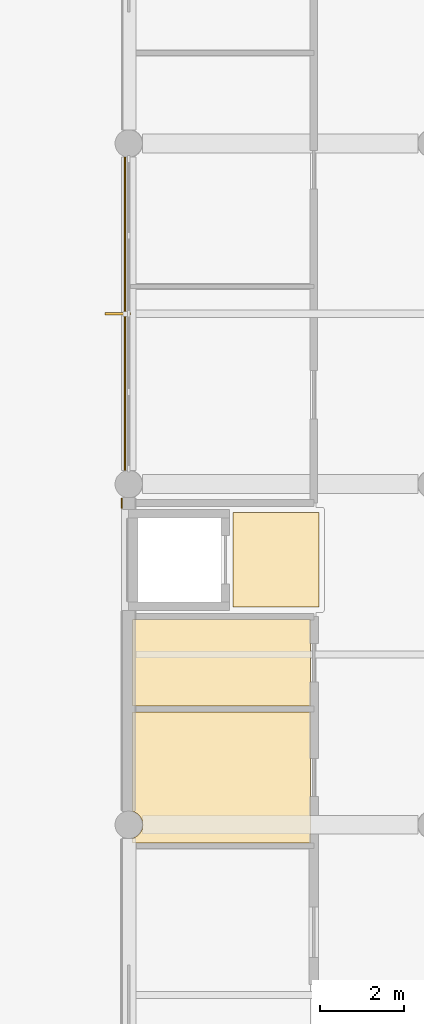
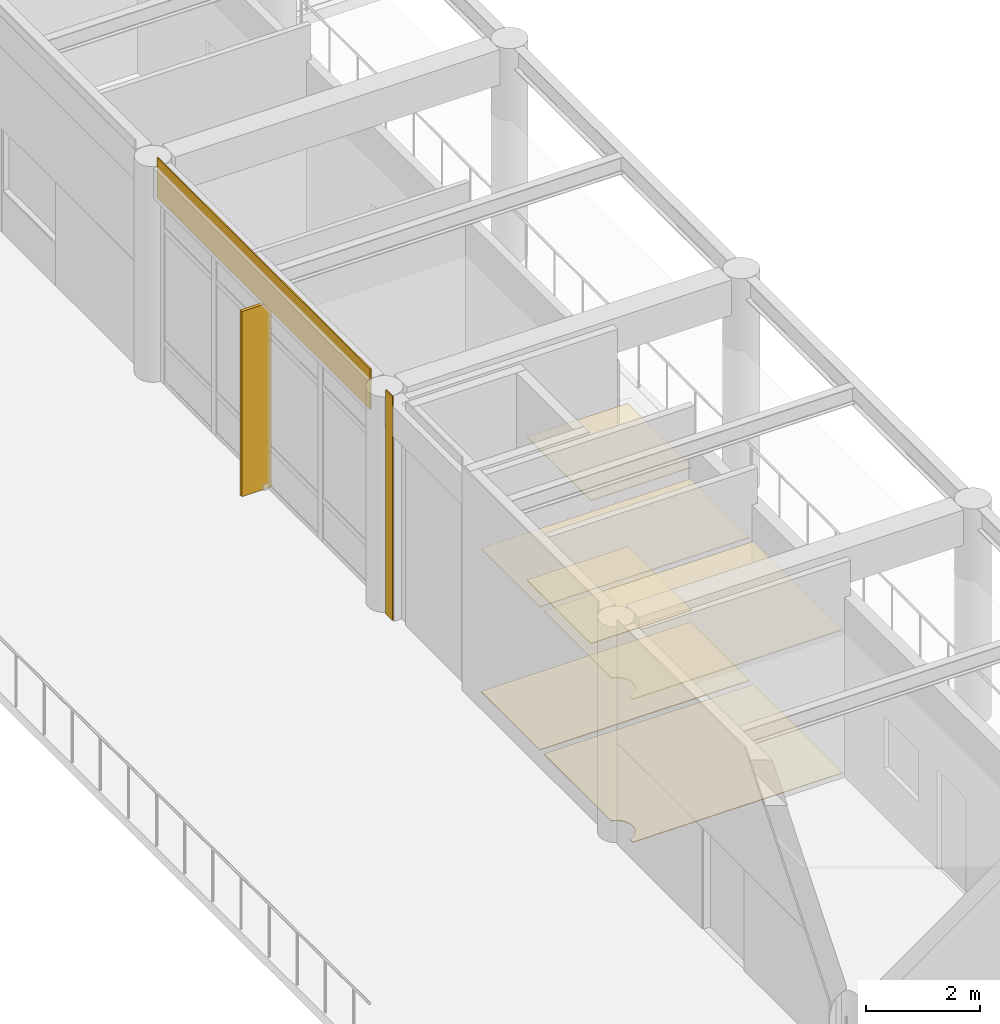
# One storey, part 69 of 92: 8 coverings, 1 shading device.
"""IFC4 building model written with IfcOpenShell, lengths in metres."""

import ifcopenshell
import ifcopenshell.guid

model = None  # the IFC model being written
_history = None  # IfcOwnerHistory: only IFC2X3 demands one
_inside = {}  # id of a spatial element -> (the spatial element, [elements in it])
_under = {}  # id of a project, library or spatial element -> (it, [spatial elements below it])
_declared = {}  # id of a project -> (the project, [libraries it declares])
_typed = {}  # id of a type object -> (the type object, [elements of that type])
_made_of = {}  # id of a material, layer set ... -> (it, [elements and type objects made of it])


def new_model(schema):
    """Start an empty IFC model of exactly this schema.

    Asked for "IFC4X3", IfcOpenShell would pick the latest addendum, in which some entities
    have other attributes; the version numbers below select the first issue.
    IFC2X3 requires an IfcOwnerHistory on every rooted entity: one is made here for all.
    """
    global model, _history
    if schema == "IFC4X3":
        model = ifcopenshell.file(schema_version=(4, 3, 0, 0))
    else:
        model = ifcopenshell.file(schema=schema)
    _inside.clear()
    _under.clear()
    _declared.clear()
    _typed.clear()
    _made_of.clear()
    _history = None
    if model.schema == "IFC2X3":
        org = make("IfcOrganization", Name="unknown")
        user = make(
            "IfcPersonAndOrganization",
            ThePerson=make("IfcPerson", FamilyName="unknown"),
            TheOrganization=org,
        )
        app = make(
            "IfcApplication",
            ApplicationDeveloper=org,
            Version="unknown",
            ApplicationFullName="unknown",
            ApplicationIdentifier="unknown",
        )
        _history = make(
            "IfcOwnerHistory",
            OwningUser=user,
            OwningApplication=app,
            ChangeAction="ADDED",
            CreationDate=0,
        )
    return model


def make(cls, **values):
    """One entity of the class cls with the attributes given. An attribute that is None is left unset."""
    return model.create_entity(
        cls, **{name: value for name, value in values.items() if value is not None}
    )


def rooted(cls, **values):
    """An entity with a GlobalId (a new one), such as an element, a storey or a relation."""
    return make(cls, GlobalId=ifcopenshell.guid.new(), OwnerHistory=_history, **values)


def si_unit(unit_type, name, prefix=None):
    """IfcSIUnit, for example si_unit("LENGTHUNIT", "METRE", prefix="MILLI")."""
    return make("IfcSIUnit", UnitType=unit_type, Prefix=prefix, Name=name)


def assignment(units):
    """IfcUnitAssignment: the units of a project."""
    return None if units is None else make("IfcUnitAssignment", Units=units)


def point(xyz):
    """IfcCartesianPoint."""
    return None if xyz is None else make("IfcCartesianPoint", Coordinates=xyz)


def direction(xyz):
    """IfcDirection."""
    return None if xyz is None else make("IfcDirection", DirectionRatios=xyz)


def frame(location, z_axis=None, x_axis=None):
    """IfcAxis2Placement3D, a coordinate frame: its origin and axes. An axis left out is left unset."""
    return make(
        "IfcAxis2Placement3D",
        Location=point(location),
        Axis=direction(z_axis),
        RefDirection=direction(x_axis),
    )


def frame_2d(location, x_axis=None):
    """IfcAxis2Placement2D, a coordinate frame in the plane: its origin and x axis."""
    return make(
        "IfcAxis2Placement2D", Location=point(location), RefDirection=direction(x_axis)
    )


def origin():
    """The frame at (0, 0, 0) with its axes left unset."""
    return frame((0.0, 0.0, 0.0))


def origin_2d():
    """The frame at (0, 0) in the plane with its x axis left unset."""
    return frame_2d((0.0, 0.0))


def place(relative_to, where):
    """IfcLocalPlacement: puts the frame where relative to a parent placement (None: the world)."""
    return make(
        "IfcLocalPlacement", PlacementRelTo=relative_to, RelativePlacement=where
    )


def context(
    kind, dimensions, precision=None, world=None, true_north=None, identifier=None
):
    """IfcGeometricRepresentationContext, for example the 3D "Model" context."""
    return make(
        "IfcGeometricRepresentationContext",
        ContextIdentifier=identifier,
        ContextType=kind,
        CoordinateSpaceDimension=dimensions,
        Precision=precision,
        WorldCoordinateSystem=world,
        TrueNorth=true_north,
    )


def subcontext(parent, identifier, kind, view, scale=None):
    """IfcGeometricRepresentationSubContext, for example "Body" below "Model"."""
    return make(
        "IfcGeometricRepresentationSubContext",
        ContextIdentifier=identifier,
        ContextType=kind,
        ParentContext=parent,
        TargetScale=scale,
        TargetView=view,
    )


def project(units=None, contexts=None):
    """IfcProject with its units and contexts."""
    return rooted(
        "IfcProject",
        Name="project",
        RepresentationContexts=contexts,
        UnitsInContext=assignment(units),
    )


def spatial(cls, under=None, at=None, **own):
    """A site, building, storey or space (cls), placed at a placement, below another one or the project."""
    s = rooted(cls, ObjectPlacement=at, **own)
    if under is not None:
        _under.setdefault(under.id(), (under, []))[1].append(s)
    return s


def polyline(points):
    """IfcPolyline through the points."""
    return make("IfcPolyline", Points=[point(p) for p in points])


def profile(cls, at=None, kind="AREA", **sizes):
    """A parametric profile (cls). Its sizes go by their IFC names, for example OverallWidth=200.0."""
    return make(cls, ProfileType=kind, Position=at, **sizes)


def rectangle(**sizes):
    """IfcRectangleProfileDef."""
    return profile("IfcRectangleProfileDef", **sizes)


def outline(outer, holes=None, kind="AREA"):
    """IfcArbitraryClosedProfileDef: a profile drawn as a closed curve; with holes, ...WithVoids."""
    if holes is None:
        return make("IfcArbitraryClosedProfileDef", ProfileType=kind, OuterCurve=outer)
    return make(
        "IfcArbitraryProfileDefWithVoids",
        ProfileType=kind,
        OuterCurve=outer,
        InnerCurves=holes,
    )


def extrude(swept, where, along, depth):
    """IfcExtrudedAreaSolid: the profile swept, set in the frame where, extruded along a direction by depth."""
    return make(
        "IfcExtrudedAreaSolid",
        SweptArea=swept,
        Position=where,
        ExtrudedDirection=direction(along),
        Depth=depth,
    )


def shape(context_of_items, identifier, shape_type, items):
    """IfcShapeRepresentation: the items that make up one representation, for example the "Body"."""
    return make(
        "IfcShapeRepresentation",
        ContextOfItems=context_of_items,
        RepresentationIdentifier=identifier,
        RepresentationType=shape_type,
        Items=items,
    )


def material(Name=None, Category=None):
    """IfcMaterial."""
    return make("IfcMaterial", Name=Name, Category=Category)


def layer(
    of_material, thickness, ventilated=None, Name=None, Category=None, Priority=None
):
    """IfcMaterialLayer: one layer of a wall or slab, of a material (None: an air gap)."""
    return make(
        "IfcMaterialLayer",
        Material=of_material,
        LayerThickness=thickness,
        IsVentilated=ventilated,
        Name=Name,
        Category=Category,
        Priority=Priority,
    )


def layer_set(layers, Name=None):
    """IfcMaterialLayerSet."""
    return make("IfcMaterialLayerSet", MaterialLayers=layers, LayerSetName=Name)


def made_of(thing, what):
    """Note that an element or type object is made of a material, layer set ...; save() writes the relation."""
    if what is not None:
        _made_of.setdefault(what.id(), (what, []))[1].append(thing)
    return thing


def type_object(cls, material=None, **own):
    """A type object (cls), such as IfcWallType, which elements share."""
    return made_of(rooted(cls, **own), material)


def element(
    cls,
    number,
    at=None,
    inside=None,
    cuts=None,
    type_object=None,
    material=None,
    context=None,
    identifier="Body",
    shape_type=None,
    held_by="IfcProductDefinitionShape",
    body=None,
    shapes=None,
    **own,
):
    """One element of the class cls, such as IfcWall. Its Tag is "e" and its number.

    at: its placement. inside: the storey or other place that contains it. cuts: it is an
    opening in that element (IfcRelVoidsElement). A single representation is given by context,
    identifier, shape_type and body (its items); several are given by shapes. held_by: the class
    of the entity that holds the representations. save() writes the other relations.
    """
    e = rooted(cls, Tag="e%d" % number, ObjectPlacement=at, **own)
    if body is not None:
        shapes = [shape(context, identifier, shape_type, body)]
    if shapes is not None:
        e.Representation = make(held_by, Representations=shapes)
    if inside is not None:
        _inside.setdefault(inside.id(), (inside, []))[1].append(e)
    if cuts is not None:
        rooted(
            "IfcRelVoidsElement", RelatingBuildingElement=cuts, RelatedOpeningElement=e
        )
    if type_object is not None:
        _typed.setdefault(type_object.id(), (type_object, []))[1].append(e)
    return made_of(e, material)


def aggregate(whole, parts):
    """IfcRelAggregates: a whole, such as a stair, and the parts it consists of."""
    return rooted("IfcRelAggregates", RelatingObject=whole, RelatedObjects=parts)


def save(model, path):
    """Write the relations noted so far, then the file.

    IfcRelAggregates (storeys below a building ...), IfcRelContainedInSpatialStructure (elements
    in a storey), IfcRelDefinesByType, IfcRelAssociatesMaterial and IfcRelDeclares: one each for
    every whole, place, type object, material and project.
    """
    for whole, parts in _under.values():
        aggregate(whole, parts)
    for where, things in _inside.values():
        rooted(
            "IfcRelContainedInSpatialStructure",
            RelatedElements=things,
            RelatingStructure=where,
        )
    for kind, things in _typed.values():
        rooted("IfcRelDefinesByType", RelatedObjects=things, RelatingType=kind)
    for what, things in _made_of.values():
        rooted("IfcRelAssociatesMaterial", RelatedObjects=things, RelatingMaterial=what)
    for by, libraries in _declared.values():
        rooted("IfcRelDeclares", RelatingContext=by, RelatedDefinitions=libraries)
    model.write(path)


model = new_model("IFC4")

# Units and contexts
model_context = context("Model", 3, precision=1e-05, world=origin(), true_north=direction((0.0, 1.0)))
body_context = subcontext(model_context, "Body", "Model", "MODEL_VIEW")
ifc_project = project(units=[si_unit("LENGTHUNIT", "METRE"), si_unit("AREAUNIT", "SQUARE_METRE"), si_unit("VOLUMEUNIT", "CUBIC_METRE"), si_unit("PLANEANGLEUNIT", "RADIAN"), si_unit("MASSUNIT", "GRAM", prefix="KILO")], contexts=[model_context])

# Site, building, storey
site_placement = place(None, origin())
site = spatial("IfcSite", under=ifc_project, at=site_placement, CompositionType="ELEMENT")
building_placement = place(site_placement, origin())
building = spatial("IfcBuilding", under=site, at=building_placement, Name="Namkhue Oval Health Centre", CompositionType="ELEMENT")
storey_placement = place(building_placement, frame((0.0, 0.0, 4.800048828125)))
storey = spatial("IfcBuildingStorey", under=building, at=storey_placement, Name="L01", CompositionType="ELEMENT", Elevation=4.800048828125)

# Coverings
ifc_material_1 = material(Name="Acoustic mineral-fibre cleanroom ceiling", Category="gypsum")
ifc_layer_1 = layer(ifc_material_1, 0.02001953125)
ifc_layer_set_1 = layer_set([ifc_layer_1], Name="Acoustic mineral-fibre cleanroom ceiling")
covering_type_1 = type_object("IfcCoveringType", Name="ACOUSTIC CLEANROOM CEILING 20", PredefinedType="CEILING", material=ifc_layer_set_1)
covering_1_placement = place(storey_placement, frame((0.0, 0.0, 3.050048828125)))
element("IfcCovering", 1, at=covering_1_placement, inside=storey, type_object=covering_type_1, Name="Acoustic Ceiling L01-LL8 Lift Lobby LF-08", PredefinedType="CEILING", context=body_context, shape_type="SweptSolid", body=[
    extrude(outline(polyline([(24.080078125, 56.47998046875), (24.080078125, 58.719970703125), (26.1201171875, 58.719970703125), (26.1201171875, 56.47998046875), (24.080078125, 56.47998046875)])), origin(), (0.0, 0.0, 1.0), 0.02001953125),
])
covering_2_placement = place(storey_placement, frame((0.0, 0.0, 3.050048828125)))
element("IfcCovering", 2, at=covering_2_placement, inside=storey, type_object=covering_type_1, Name="Acoustic Ceiling L01-102 Public Washroom", PredefinedType="CEILING", context=body_context, shape_type="SweptSolid", body=[
    extrude(outline(polyline([(21.68505859375, 50.8701171875), (21.68505859375, 50.976318359375), (21.767578125, 51.010009765625), (21.8369140625, 51.06298828125), (21.89013671875, 51.132568359375), (21.923583984375, 51.21337890625), (21.93505859375, 51.300048828125), (21.923583984375, 51.38671875), (21.89013671875, 51.467529296875), (21.8369140625, 51.536865234375), (21.767578125, 51.590087890625), (21.68505859375, 51.623779296875), (21.68505859375, 53.97998046875), (25.919921875, 53.97998046875), (25.919921875, 50.8701171875), (21.68505859375, 50.8701171875)])), origin(), (0.0, 0.0, 1.0), 0.02001953125),
])
covering_3_placement = place(storey_placement, frame((0.0, 0.0, 3.050048828125)))
element("IfcCovering", 3, at=covering_3_placement, inside=storey, type_object=covering_type_1, Name="Acoustic Ceiling L01-103 Accessible WC", PredefinedType="CEILING", context=body_context, shape_type="SweptSolid", body=[
    extrude(outline(polyline([(21.68505859375, 54.1201171875), (21.68505859375, 56.179931640625), (25.919921875, 56.179931640625), (25.919921875, 54.1201171875), (21.68505859375, 54.1201171875)])), origin(), (0.0, 0.0, 1.0), 0.02001953125),
])
ifc_material_2 = material(Name="Homogeneous anti-bacterial clinical vinyl flooring", Category="plastic")
ifc_layer_2 = layer(ifc_material_2, 0.014892578125)
ifc_layer_set_2 = layer_set([ifc_layer_2], Name="Homogeneous anti-bacterial clinical vinyl flooring")
covering_type_2 = type_object("IfcCoveringType", Name="CLINICAL ANTIBACTERIAL VINYL FLOORING 15", PredefinedType="FLOORING", material=ifc_layer_set_2)
covering_4_placement = place(storey_placement, origin())
element("IfcCovering", 4, at=covering_4_placement, inside=storey, type_object=covering_type_2, Name="Clinical Flooring L01-LL8 Lift Lobby LF-08", PredefinedType="FLOORING", context=body_context, shape_type="SweptSolid", body=[
    extrude(outline(polyline([(24.080078125, 56.47998046875), (24.080078125, 58.719970703125), (26.1201171875, 58.719970703125), (26.1201171875, 56.47998046875), (24.080078125, 56.47998046875)])), origin(), (0.0, 0.0, 1.0), 0.014892578125),
])
covering_5_placement = place(storey_placement, origin())
element("IfcCovering", 5, at=covering_5_placement, inside=storey, type_object=covering_type_2, Name="Clinical Flooring L01-102 Public Washroom", PredefinedType="FLOORING", context=body_context, shape_type="SweptSolid", body=[
    extrude(outline(polyline([(21.68505859375, 50.8701171875), (21.68505859375, 50.976318359375), (21.767578125, 51.010009765625), (21.8369140625, 51.06298828125), (21.89013671875, 51.132568359375), (21.923583984375, 51.21337890625), (21.93505859375, 51.300048828125), (21.923583984375, 51.38671875), (21.89013671875, 51.467529296875), (21.8369140625, 51.536865234375), (21.767578125, 51.590087890625), (21.68505859375, 51.623779296875), (21.68505859375, 53.97998046875), (25.919921875, 53.97998046875), (25.919921875, 50.8701171875), (21.68505859375, 50.8701171875)])), origin(), (0.0, 0.0, 1.0), 0.014892578125),
])
covering_6_placement = place(storey_placement, origin())
element("IfcCovering", 6, at=covering_6_placement, inside=storey, type_object=covering_type_2, Name="Clinical Flooring L01-103 Accessible WC", PredefinedType="FLOORING", context=body_context, shape_type="SweptSolid", body=[
    extrude(outline(polyline([(21.68505859375, 54.1201171875), (21.68505859375, 56.179931640625), (25.919921875, 56.179931640625), (25.919921875, 54.1201171875), (21.68505859375, 54.1201171875)])), origin(), (0.0, 0.0, 1.0), 0.014892578125),
])

# Shading device
ifc_material_3 = material(Name="Anodised aluminium EN AW-6063 T6", Category="aluminium")
shading_device_type = type_object("IfcShadingDeviceType", Name="VERTICAL SOLAR FIN 600", PredefinedType="USERDEFINED", material=ifc_material_3)
shading_device_placement = place(storey_placement, frame((21.340087890625, 63.449951171875, 0.0), z_axis=(0.0, 0.0, 1.0), x_axis=(-1.0, 0.0, 0.0)))
element("IfcShadingDevice", 7, at=shading_device_placement, inside=storey, type_object=shading_device_type, Name="Volume V1 L01 Extruded Aluminium Solar Fin 43", ObjectType="SOLAR FIN", PredefinedType="USERDEFINED", context=body_context, shape_type="SweptSolid", body=[
    extrude(rectangle(XDim=0.60009765625, YDim=0.06005859375, at=origin_2d()), origin(), (0.0, 0.0, 1.0), 3.949951171875),
])

# Coverings
ifc_material_4 = material(Name="White glass-fibre reinforced concrete GRC rainscreen cladding", Category="concrete")
ifc_layer_3 = layer(ifc_material_4, 0.02490234375)
ifc_layer_set_3 = layer_set([ifc_layer_3], Name="White glass-fibre reinforced concrete GRC rainscreen cladding")
covering_type_3 = type_object("IfcCoveringType", Name="WHITE GRC RAINSCREEN CLADDING 25", PredefinedType="CLADDING", material=ifc_layer_set_3)
covering_7_placement = place(storey_placement, frame((21.511474609375, 63.449951171875, 3.93505859375), z_axis=(0.0, 0.0, 1.0), x_axis=(0.0, -1.0, 0.0)))
element("IfcCovering", 8, at=covering_7_placement, inside=storey, type_object=covering_type_3, Name="Volume V1 L01 Curtain Wall Spandrel Cladding 35", PredefinedType="CLADDING", context=body_context, shape_type="SweptSolid", body=[
    extrude(rectangle(XDim=7.449951171875, YDim=0.02490234375, at=origin_2d()), origin(), (0.0, 0.0, 1.0), 0.864990234375),
])
covering_8_placement = place(storey_placement, frame((21.43798828125, 58.94091796875, 0.009765625), z_axis=(0.0, 0.0, 1.0), x_axis=(0.0, -1.0, 0.0)))
element("IfcCovering", 9, at=covering_8_placement, inside=storey, type_object=covering_type_3, Name="Volume V1 L01 Facade 13 White GRC Cladding 1", PredefinedType="CLADDING", context=body_context, shape_type="SweptSolid", body=[
    extrude(rectangle(XDim=0.238037109375, YDim=0.02490234375, at=origin_2d()), origin(), (0.0, 0.0, 1.0), 4.780029296875),
])

save(model, "model.ifc")
